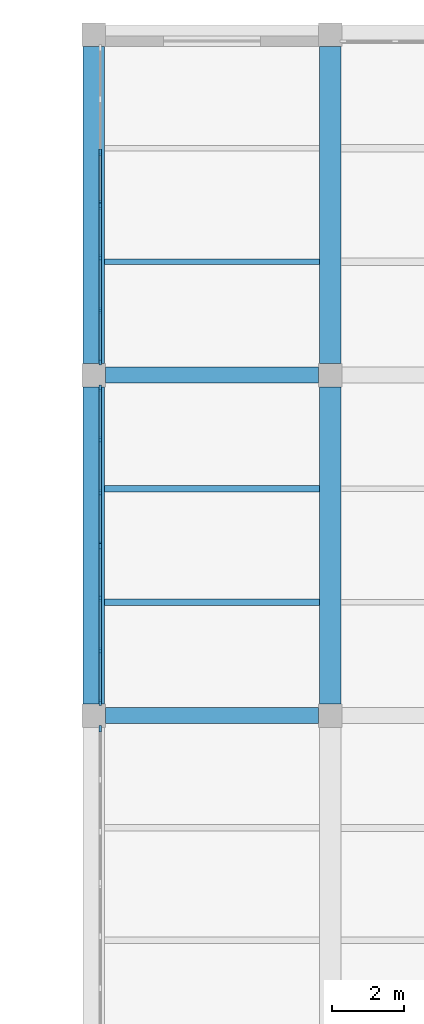
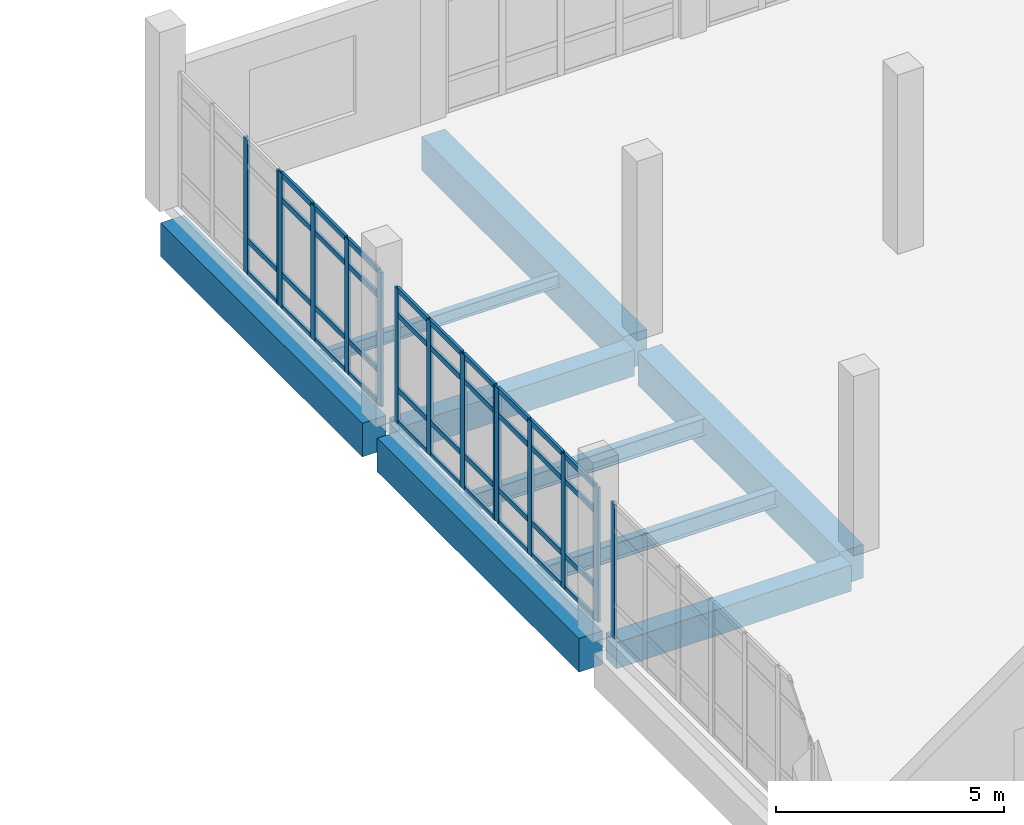
# One storey, part 38 of 90: 53 members, 9 beams, 5 elements without a shape of their own.
"""IFC4 building model written with IfcOpenShell, lengths in metres."""

from ifc_helpers import new_model, si_unit, direction, frame, origin, origin_2d, place, context, subcontext, project, spatial, rectangle, i_section, extrude, material, layer, layer_set, material_profile, profile_set, type_object, element, aggregate, save


model = new_model("IFC4")

# Units and contexts
model_context = context("Model", 3, precision=1e-05, world=origin(), true_north=direction((0.0, 1.0)))
body_context = subcontext(model_context, "Body", "Model", "MODEL_VIEW")
ifc_project = project(units=[si_unit("LENGTHUNIT", "METRE"), si_unit("AREAUNIT", "SQUARE_METRE"), si_unit("VOLUMEUNIT", "CUBIC_METRE"), si_unit("PLANEANGLEUNIT", "RADIAN"), si_unit("MASSUNIT", "GRAM", prefix="KILO")], contexts=[model_context])

# Site, building, storey
site_placement = place(None, origin())
site = spatial("IfcSite", under=ifc_project, at=site_placement, CompositionType="ELEMENT")
building_placement = place(site_placement, origin())
building = spatial("IfcBuilding", under=site, at=building_placement, Name="Kelarvand Opera House", CompositionType="ELEMENT")
storey_placement = place(building_placement, frame((0.0, 0.0, 5.39990234375)))
storey = spatial("IfcBuildingStorey", under=building, at=storey_placement, Name="L01", CompositionType="ELEMENT", Elevation=5.39990234375)

# Curtain wall, member
ifc_material_1 = material(Name="Thermally broken aluminium and low-E glazing", Category="aluminium")
ifc_layer_1 = layer(ifc_material_1, 0.179931640625, Name="Thermally broken aluminium and low-E glazing", Category="aluminium")
ifc_layer_set_1 = layer_set([ifc_layer_1], Name="Thermally broken aluminium and low-E glazing")
curtain_wall_type_1 = type_object("IfcCurtainWallType", Name="Unitised Low-E Curtain Wall 4361x3600 Mod 1450 CWF-42", PredefinedType="USERDEFINED", material=ifc_layer_set_1)
curtain_wall_1_placement = place(storey_placement, origin())
curtain_wall_1 = element("IfcCurtainWall", 1, at=curtain_wall_1_placement, inside=storey, type_object=curtain_wall_type_1, Name="V5 L01 Curtain Wall CWF-42 (185)", ObjectType="UNITISED CURTAIN WALL", PredefinedType="USERDEFINED")
ifc_material_2 = material(Name="Thermally broken anodised aluminium", Category="aluminium")
ifc_material_profile_1 = material_profile(ifc_material_2, rectangle(XDim=0.06494140625, YDim=0.179931640625, at=origin_2d()), Name="ALU MULLION 65x180", Category="aluminium")
ifc_profile_set_1 = profile_set([ifc_material_profile_1], Name="Thermally broken anodised aluminium")
member_type_1 = type_object("IfcMemberType", Name="Curtain Wall Mullion 65x180 Aluminium", PredefinedType="MULLION", material=ifc_profile_set_1)
member_1_placement = place(storey_placement, frame((95.780029296875, 105.632568359375, 0.0), z_axis=(0.0, 0.0, 1.0), x_axis=(-1.0, 0.0, 0.0)))
member_1 = element("IfcMember", 2, at=member_1_placement, type_object=member_type_1, Name="CWF-42 mullion 4", PredefinedType="MULLION", context=body_context, shape_type="SweptSolid", body=[
    extrude(rectangle(XDim=0.06494140625, YDim=0.179931640625, at=origin_2d()), origin(), (0.0, 0.0, 1.0), 3.60009765625),
])
aggregate(curtain_wall_1, [member_1])

# Curtain wall, members
ifc_layer_2 = layer(ifc_material_1, 0.179931640625, Name="Thermally broken aluminium and low-E glazing", Category="aluminium")
ifc_layer_set_2 = layer_set([ifc_layer_2], Name="Thermally broken aluminium and low-E glazing")
curtain_wall_type_2 = type_object("IfcCurtainWallType", Name="Unitised Low-E Curtain Wall 4411x3600 Mod 1450 CWF-41", PredefinedType="USERDEFINED", material=ifc_layer_set_2)
curtain_wall_2_placement = place(storey_placement, origin())
curtain_wall_2 = element("IfcCurtainWall", 3, at=curtain_wall_2_placement, inside=storey, type_object=curtain_wall_type_2, Name="V5 L01 Curtain Wall CWF-41 (186)", ObjectType="UNITISED CURTAIN WALL", PredefinedType="USERDEFINED")
member_2_placement = place(storey_placement, frame((95.780029296875, 106.367431640625, 0.0), z_axis=(0.0, 0.0, 1.0), x_axis=(-1.0, 0.0, 0.0)))
member_2 = element("IfcMember", 4, at=member_2_placement, type_object=member_type_1, Name="CWF-41 mullion 1", PredefinedType="MULLION", context=body_context, shape_type="SweptSolid", body=[
    extrude(rectangle(XDim=0.06494140625, YDim=0.179931640625, at=origin_2d()), origin(), (0.0, 0.0, 1.0), 3.60009765625),
])
member_3_placement = place(storey_placement, frame((95.780029296875, 107.805419921875, 0.0), z_axis=(0.0, 0.0, 1.0), x_axis=(-1.0, 0.0, 0.0)))
member_3 = element("IfcMember", 5, at=member_3_placement, type_object=member_type_1, Name="CWF-41 mullion 2", PredefinedType="MULLION", context=body_context, shape_type="SweptSolid", body=[
    extrude(rectangle(XDim=0.06494140625, YDim=0.179931640625, at=origin_2d()), origin(), (0.0, 0.0, 1.0), 3.60009765625),
])
member_4_placement = place(storey_placement, frame((95.780029296875, 109.275634765625, 0.0), z_axis=(0.0, 0.0, 1.0), x_axis=(-1.0, 0.0, 0.0)))
member_4 = element("IfcMember", 6, at=member_4_placement, type_object=member_type_1, Name="CWF-41 mullion 3", PredefinedType="MULLION", context=body_context, shape_type="SweptSolid", body=[
    extrude(rectangle(XDim=0.06494140625, YDim=0.179931640625, at=origin_2d()), origin(), (0.0, 0.0, 1.0), 3.60009765625),
])
member_5_placement = place(storey_placement, frame((95.780029296875, 110.71337890625, 0.0), z_axis=(0.0, 0.0, 1.0), x_axis=(-1.0, 0.0, 0.0)))
member_5 = element("IfcMember", 7, at=member_5_placement, type_object=member_type_1, Name="CWF-41 mullion 4", PredefinedType="MULLION", context=body_context, shape_type="SweptSolid", body=[
    extrude(rectangle(XDim=0.06494140625, YDim=0.179931640625, at=origin_2d()), origin(), (0.0, 0.0, 1.0), 3.60009765625),
])

curtain_wall_3_placement = place(storey_placement, origin())
curtain_wall_3 = element("IfcCurtainWall", 8, at=curtain_wall_3_placement, inside=storey, type_object=curtain_wall_type_2, Name="V5 L01 Curtain Wall CWF-41 (187)", ObjectType="UNITISED CURTAIN WALL", PredefinedType="USERDEFINED")
member_6_placement = place(storey_placement, frame((95.780029296875, 110.782470703125, 0.0), z_axis=(0.0, 0.0, 1.0), x_axis=(-1.0, 0.0, 0.0)))
member_6 = element("IfcMember", 9, at=member_6_placement, type_object=member_type_1, Name="CWF-41 mullion 1", PredefinedType="MULLION", context=body_context, shape_type="SweptSolid", body=[
    extrude(rectangle(XDim=0.06494140625, YDim=0.179931640625, at=origin_2d()), origin(), (0.0, 0.0, 1.0), 3.60009765625),
])
member_7_placement = place(storey_placement, frame((95.780029296875, 112.2216796875, 0.0), z_axis=(0.0, 0.0, 1.0), x_axis=(-1.0, 0.0, 0.0)))
member_7 = element("IfcMember", 10, at=member_7_placement, type_object=member_type_1, Name="CWF-41 mullion 2", PredefinedType="MULLION", context=body_context, shape_type="SweptSolid", body=[
    extrude(rectangle(XDim=0.06494140625, YDim=0.179931640625, at=origin_2d()), origin(), (0.0, 0.0, 1.0), 3.60009765625),
])
member_8_placement = place(storey_placement, frame((95.780029296875, 113.693359375, 0.0), z_axis=(0.0, 0.0, 1.0), x_axis=(-1.0, 0.0, 0.0)))
member_8 = element("IfcMember", 11, at=member_8_placement, type_object=member_type_1, Name="CWF-41 mullion 3", PredefinedType="MULLION", context=body_context, shape_type="SweptSolid", body=[
    extrude(rectangle(XDim=0.06494140625, YDim=0.179931640625, at=origin_2d()), origin(), (0.0, 0.0, 1.0), 3.60009765625),
])
member_9_placement = place(storey_placement, frame((95.780029296875, 115.132568359375, 0.0), z_axis=(0.0, 0.0, 1.0), x_axis=(-1.0, 0.0, 0.0)))
member_9 = element("IfcMember", 12, at=member_9_placement, type_object=member_type_1, Name="CWF-41 mullion 4", PredefinedType="MULLION", context=body_context, shape_type="SweptSolid", body=[
    extrude(rectangle(XDim=0.06494140625, YDim=0.179931640625, at=origin_2d()), origin(), (0.0, 0.0, 1.0), 3.60009765625),
])

curtain_wall_4_placement = place(storey_placement, origin())
curtain_wall_4 = element("IfcCurtainWall", 13, at=curtain_wall_4_placement, inside=storey, type_object=curtain_wall_type_2, Name="V5 L01 Curtain Wall CWF-41 (188)", ObjectType="UNITISED CURTAIN WALL", PredefinedType="USERDEFINED")
member_10_placement = place(storey_placement, frame((95.780029296875, 115.867431640625, 0.0), z_axis=(0.0, 0.0, 1.0), x_axis=(-1.0, 0.0, 0.0)))
member_10 = element("IfcMember", 14, at=member_10_placement, type_object=member_type_1, Name="CWF-41 mullion 1", PredefinedType="MULLION", context=body_context, shape_type="SweptSolid", body=[
    extrude(rectangle(XDim=0.06494140625, YDim=0.179931640625, at=origin_2d()), origin(), (0.0, 0.0, 1.0), 3.60009765625),
])
member_11_placement = place(storey_placement, frame((95.780029296875, 117.305419921875, 0.0), z_axis=(0.0, 0.0, 1.0), x_axis=(-1.0, 0.0, 0.0)))
member_11 = element("IfcMember", 15, at=member_11_placement, type_object=member_type_1, Name="CWF-41 mullion 2", PredefinedType="MULLION", context=body_context, shape_type="SweptSolid", body=[
    extrude(rectangle(XDim=0.06494140625, YDim=0.179931640625, at=origin_2d()), origin(), (0.0, 0.0, 1.0), 3.60009765625),
])
member_12_placement = place(storey_placement, frame((95.780029296875, 118.775634765625, 0.0), z_axis=(0.0, 0.0, 1.0), x_axis=(-1.0, 0.0, 0.0)))
member_12 = element("IfcMember", 16, at=member_12_placement, type_object=member_type_1, Name="CWF-41 mullion 3", PredefinedType="MULLION", context=body_context, shape_type="SweptSolid", body=[
    extrude(rectangle(XDim=0.06494140625, YDim=0.179931640625, at=origin_2d()), origin(), (0.0, 0.0, 1.0), 3.60009765625),
])
member_13_placement = place(storey_placement, frame((95.780029296875, 120.21337890625, 0.0), z_axis=(0.0, 0.0, 1.0), x_axis=(-1.0, 0.0, 0.0)))
member_13 = element("IfcMember", 17, at=member_13_placement, type_object=member_type_1, Name="CWF-41 mullion 4", PredefinedType="MULLION", context=body_context, shape_type="SweptSolid", body=[
    extrude(rectangle(XDim=0.06494140625, YDim=0.179931640625, at=origin_2d()), origin(), (0.0, 0.0, 1.0), 3.60009765625),
])

curtain_wall_5_placement = place(storey_placement, origin())
curtain_wall_5 = element("IfcCurtainWall", 18, at=curtain_wall_5_placement, inside=storey, type_object=curtain_wall_type_2, Name="V5 L01 Curtain Wall CWF-41 (189)", ObjectType="UNITISED CURTAIN WALL", PredefinedType="USERDEFINED")
member_14_placement = place(storey_placement, frame((95.780029296875, 120.282470703125, 0.0), z_axis=(0.0, 0.0, 1.0), x_axis=(-1.0, 0.0, 0.0)))
member_14 = element("IfcMember", 19, at=member_14_placement, type_object=member_type_1, Name="CWF-41 mullion 1", PredefinedType="MULLION", context=body_context, shape_type="SweptSolid", body=[
    extrude(rectangle(XDim=0.06494140625, YDim=0.179931640625, at=origin_2d()), origin(), (0.0, 0.0, 1.0), 3.60009765625),
])
member_15_placement = place(storey_placement, frame((95.780029296875, 121.7216796875, 0.0), z_axis=(0.0, 0.0, 1.0), x_axis=(-1.0, 0.0, 0.0)))
member_15 = element("IfcMember", 20, at=member_15_placement, type_object=member_type_1, Name="CWF-41 mullion 2", PredefinedType="MULLION", context=body_context, shape_type="SweptSolid", body=[
    extrude(rectangle(XDim=0.06494140625, YDim=0.179931640625, at=origin_2d()), origin(), (0.0, 0.0, 1.0), 3.60009765625),
])

# Member
ifc_material_profile_2 = material_profile(ifc_material_2, rectangle(XDim=0.06494140625, YDim=0.139892578125, at=origin_2d()), Name="ALU TRANSOM 65x140", Category="aluminium")
ifc_profile_set_2 = profile_set([ifc_material_profile_2], Name="Thermally broken anodised aluminium")
member_type_2 = type_object("IfcMemberType", Name="Curtain Wall Transom 65x140 Aluminium", PredefinedType="USERDEFINED", material=ifc_profile_set_2)
member_16_placement = place(storey_placement, frame((95.780029296875, 106.39990234375, 0.03271484375), z_axis=(0.0, 1.0, 0.0), x_axis=(-1.0, 0.0, 0.0)))
member_16 = element("IfcMember", 21, at=member_16_placement, type_object=member_type_2, Name="CWF-41 transom 1.1", ObjectType="TRANSOM", PredefinedType="USERDEFINED", context=body_context, shape_type="SweptSolid", body=[
    extrude(rectangle(XDim=0.06494140625, YDim=0.139892578125, at=origin_2d()), origin(), (0.0, 0.0, 1.0), 1.373046875),
])

member_17_placement = place(storey_placement, frame((95.780029296875, 106.39990234375, 0.900146484375), z_axis=(0.0, 1.0, 0.0), x_axis=(-1.0, 0.0, 0.0)))
member_17 = element("IfcMember", 22, at=member_17_placement, type_object=member_type_2, Name="CWF-41 transom 1.2", ObjectType="TRANSOM", PredefinedType="USERDEFINED", context=body_context, shape_type="SweptSolid", body=[
    extrude(rectangle(XDim=0.06494140625, YDim=0.139892578125, at=origin_2d()), origin(), (0.0, 0.0, 1.0), 1.373046875),
])

member_18_placement = place(storey_placement, frame((95.780029296875, 106.39990234375, 2.900146484375), z_axis=(0.0, 1.0, 0.0), x_axis=(-1.0, 0.0, 0.0)))
member_18 = element("IfcMember", 23, at=member_18_placement, type_object=member_type_2, Name="CWF-41 transom 1.3", ObjectType="TRANSOM", PredefinedType="USERDEFINED", context=body_context, shape_type="SweptSolid", body=[
    extrude(rectangle(XDim=0.06494140625, YDim=0.139892578125, at=origin_2d()), origin(), (0.0, 0.0, 1.0), 1.373046875),
])

member_19_placement = place(storey_placement, frame((95.780029296875, 106.39990234375, 3.567626953125), z_axis=(0.0, 1.0, 0.0), x_axis=(-1.0, 0.0, 0.0)))
member_19 = element("IfcMember", 24, at=member_19_placement, type_object=member_type_2, Name="CWF-41 transom 1.4", ObjectType="TRANSOM", PredefinedType="USERDEFINED", context=body_context, shape_type="SweptSolid", body=[
    extrude(rectangle(XDim=0.06494140625, YDim=0.139892578125, at=origin_2d()), origin(), (0.0, 0.0, 1.0), 1.373046875),
])

member_20_placement = place(storey_placement, frame((95.780029296875, 107.837890625, 0.03271484375), z_axis=(0.0, 1.0, 0.0), x_axis=(-1.0, 0.0, 0.0)))
member_20 = element("IfcMember", 25, at=member_20_placement, type_object=member_type_2, Name="CWF-41 transom 2.1", ObjectType="TRANSOM", PredefinedType="USERDEFINED", context=body_context, shape_type="SweptSolid", body=[
    extrude(rectangle(XDim=0.06494140625, YDim=0.139892578125, at=origin_2d()), origin(), (0.0, 0.0, 1.0), 1.4052734375),
])

member_21_placement = place(storey_placement, frame((95.780029296875, 107.837890625, 0.900146484375), z_axis=(0.0, 1.0, 0.0), x_axis=(-1.0, 0.0, 0.0)))
member_21 = element("IfcMember", 26, at=member_21_placement, type_object=member_type_2, Name="CWF-41 transom 2.2", ObjectType="TRANSOM", PredefinedType="USERDEFINED", context=body_context, shape_type="SweptSolid", body=[
    extrude(rectangle(XDim=0.06494140625, YDim=0.139892578125, at=origin_2d()), origin(), (0.0, 0.0, 1.0), 1.4052734375),
])

member_22_placement = place(storey_placement, frame((95.780029296875, 107.837890625, 2.900146484375), z_axis=(0.0, 1.0, 0.0), x_axis=(-1.0, 0.0, 0.0)))
member_22 = element("IfcMember", 27, at=member_22_placement, type_object=member_type_2, Name="CWF-41 transom 2.3", ObjectType="TRANSOM", PredefinedType="USERDEFINED", context=body_context, shape_type="SweptSolid", body=[
    extrude(rectangle(XDim=0.06494140625, YDim=0.139892578125, at=origin_2d()), origin(), (0.0, 0.0, 1.0), 1.4052734375),
])

member_23_placement = place(storey_placement, frame((95.780029296875, 107.837890625, 3.567626953125), z_axis=(0.0, 1.0, 0.0), x_axis=(-1.0, 0.0, 0.0)))
member_23 = element("IfcMember", 28, at=member_23_placement, type_object=member_type_2, Name="CWF-41 transom 2.4", ObjectType="TRANSOM", PredefinedType="USERDEFINED", context=body_context, shape_type="SweptSolid", body=[
    extrude(rectangle(XDim=0.06494140625, YDim=0.139892578125, at=origin_2d()), origin(), (0.0, 0.0, 1.0), 1.4052734375),
])

member_24_placement = place(storey_placement, frame((95.780029296875, 109.30810546875, 0.03271484375), z_axis=(0.0, 1.0, 0.0), x_axis=(-1.0, 0.0, 0.0)))
member_24 = element("IfcMember", 29, at=member_24_placement, type_object=member_type_2, Name="CWF-41 transom 3.1", ObjectType="TRANSOM", PredefinedType="USERDEFINED", context=body_context, shape_type="SweptSolid", body=[
    extrude(rectangle(XDim=0.06494140625, YDim=0.139892578125, at=origin_2d()), origin(), (0.0, 0.0, 1.0), 1.372802734375),
])

member_25_placement = place(storey_placement, frame((95.780029296875, 109.30810546875, 0.900146484375), z_axis=(0.0, 1.0, 0.0), x_axis=(-1.0, 0.0, 0.0)))
member_25 = element("IfcMember", 30, at=member_25_placement, type_object=member_type_2, Name="CWF-41 transom 3.2", ObjectType="TRANSOM", PredefinedType="USERDEFINED", context=body_context, shape_type="SweptSolid", body=[
    extrude(rectangle(XDim=0.06494140625, YDim=0.139892578125, at=origin_2d()), origin(), (0.0, 0.0, 1.0), 1.372802734375),
])

member_26_placement = place(storey_placement, frame((95.780029296875, 109.30810546875, 2.900146484375), z_axis=(0.0, 1.0, 0.0), x_axis=(-1.0, 0.0, 0.0)))
member_26 = element("IfcMember", 31, at=member_26_placement, type_object=member_type_2, Name="CWF-41 transom 3.3", ObjectType="TRANSOM", PredefinedType="USERDEFINED", context=body_context, shape_type="SweptSolid", body=[
    extrude(rectangle(XDim=0.06494140625, YDim=0.139892578125, at=origin_2d()), origin(), (0.0, 0.0, 1.0), 1.372802734375),
])

member_27_placement = place(storey_placement, frame((95.780029296875, 109.30810546875, 3.567626953125), z_axis=(0.0, 1.0, 0.0), x_axis=(-1.0, 0.0, 0.0)))
member_27 = element("IfcMember", 32, at=member_27_placement, type_object=member_type_2, Name="CWF-41 transom 3.4", ObjectType="TRANSOM", PredefinedType="USERDEFINED", context=body_context, shape_type="SweptSolid", body=[
    extrude(rectangle(XDim=0.06494140625, YDim=0.139892578125, at=origin_2d()), origin(), (0.0, 0.0, 1.0), 1.372802734375),
])

aggregate(curtain_wall_2, [member_2, member_3, member_4, member_5, member_16, member_17, member_18, member_19, member_20, member_21, member_22, member_23, member_24, member_25, member_26, member_27])

member_28_placement = place(storey_placement, frame((95.780029296875, 110.81494140625, 0.03271484375), z_axis=(0.0, 1.0, 0.0), x_axis=(-1.0, 0.0, 0.0)))
member_28 = element("IfcMember", 33, at=member_28_placement, type_object=member_type_2, Name="CWF-41 transom 1.1", ObjectType="TRANSOM", PredefinedType="USERDEFINED", context=body_context, shape_type="SweptSolid", body=[
    extrude(rectangle(XDim=0.06494140625, YDim=0.139892578125, at=origin_2d()), origin(), (0.0, 0.0, 1.0), 1.374267578125),
])

member_29_placement = place(storey_placement, frame((95.780029296875, 110.81494140625, 0.900146484375), z_axis=(0.0, 1.0, 0.0), x_axis=(-1.0, 0.0, 0.0)))
member_29 = element("IfcMember", 34, at=member_29_placement, type_object=member_type_2, Name="CWF-41 transom 1.2", ObjectType="TRANSOM", PredefinedType="USERDEFINED", context=body_context, shape_type="SweptSolid", body=[
    extrude(rectangle(XDim=0.06494140625, YDim=0.139892578125, at=origin_2d()), origin(), (0.0, 0.0, 1.0), 1.374267578125),
])

member_30_placement = place(storey_placement, frame((95.780029296875, 110.81494140625, 2.900146484375), z_axis=(0.0, 1.0, 0.0), x_axis=(-1.0, 0.0, 0.0)))
member_30 = element("IfcMember", 35, at=member_30_placement, type_object=member_type_2, Name="CWF-41 transom 1.3", ObjectType="TRANSOM", PredefinedType="USERDEFINED", context=body_context, shape_type="SweptSolid", body=[
    extrude(rectangle(XDim=0.06494140625, YDim=0.139892578125, at=origin_2d()), origin(), (0.0, 0.0, 1.0), 1.374267578125),
])

member_31_placement = place(storey_placement, frame((95.780029296875, 110.81494140625, 3.567626953125), z_axis=(0.0, 1.0, 0.0), x_axis=(-1.0, 0.0, 0.0)))
member_31 = element("IfcMember", 36, at=member_31_placement, type_object=member_type_2, Name="CWF-41 transom 1.4", ObjectType="TRANSOM", PredefinedType="USERDEFINED", context=body_context, shape_type="SweptSolid", body=[
    extrude(rectangle(XDim=0.06494140625, YDim=0.139892578125, at=origin_2d()), origin(), (0.0, 0.0, 1.0), 1.374267578125),
])

member_32_placement = place(storey_placement, frame((95.780029296875, 112.254150390625, 0.03271484375), z_axis=(0.0, 1.0, 0.0), x_axis=(-1.0, 0.0, 0.0)))
member_32 = element("IfcMember", 37, at=member_32_placement, type_object=member_type_2, Name="CWF-41 transom 2.1", ObjectType="TRANSOM", PredefinedType="USERDEFINED", context=body_context, shape_type="SweptSolid", body=[
    extrude(rectangle(XDim=0.06494140625, YDim=0.139892578125, at=origin_2d()), origin(), (0.0, 0.0, 1.0), 1.40673828125),
])

member_33_placement = place(storey_placement, frame((95.780029296875, 112.254150390625, 0.900146484375), z_axis=(0.0, 1.0, 0.0), x_axis=(-1.0, 0.0, 0.0)))
member_33 = element("IfcMember", 38, at=member_33_placement, type_object=member_type_2, Name="CWF-41 transom 2.2", ObjectType="TRANSOM", PredefinedType="USERDEFINED", context=body_context, shape_type="SweptSolid", body=[
    extrude(rectangle(XDim=0.06494140625, YDim=0.139892578125, at=origin_2d()), origin(), (0.0, 0.0, 1.0), 1.40673828125),
])

member_34_placement = place(storey_placement, frame((95.780029296875, 112.254150390625, 2.900146484375), z_axis=(0.0, 1.0, 0.0), x_axis=(-1.0, 0.0, 0.0)))
member_34 = element("IfcMember", 39, at=member_34_placement, type_object=member_type_2, Name="CWF-41 transom 2.3", ObjectType="TRANSOM", PredefinedType="USERDEFINED", context=body_context, shape_type="SweptSolid", body=[
    extrude(rectangle(XDim=0.06494140625, YDim=0.139892578125, at=origin_2d()), origin(), (0.0, 0.0, 1.0), 1.40673828125),
])

member_35_placement = place(storey_placement, frame((95.780029296875, 112.254150390625, 3.567626953125), z_axis=(0.0, 1.0, 0.0), x_axis=(-1.0, 0.0, 0.0)))
member_35 = element("IfcMember", 40, at=member_35_placement, type_object=member_type_2, Name="CWF-41 transom 2.4", ObjectType="TRANSOM", PredefinedType="USERDEFINED", context=body_context, shape_type="SweptSolid", body=[
    extrude(rectangle(XDim=0.06494140625, YDim=0.139892578125, at=origin_2d()), origin(), (0.0, 0.0, 1.0), 1.40673828125),
])

member_36_placement = place(storey_placement, frame((95.780029296875, 113.725830078125, 0.03271484375), z_axis=(0.0, 1.0, 0.0), x_axis=(-1.0, 0.0, 0.0)))
member_36 = element("IfcMember", 41, at=member_36_placement, type_object=member_type_2, Name="CWF-41 transom 3.1", ObjectType="TRANSOM", PredefinedType="USERDEFINED", context=body_context, shape_type="SweptSolid", body=[
    extrude(rectangle(XDim=0.06494140625, YDim=0.139892578125, at=origin_2d()), origin(), (0.0, 0.0, 1.0), 1.374267578125),
])

member_37_placement = place(storey_placement, frame((95.780029296875, 113.725830078125, 0.900146484375), z_axis=(0.0, 1.0, 0.0), x_axis=(-1.0, 0.0, 0.0)))
member_37 = element("IfcMember", 42, at=member_37_placement, type_object=member_type_2, Name="CWF-41 transom 3.2", ObjectType="TRANSOM", PredefinedType="USERDEFINED", context=body_context, shape_type="SweptSolid", body=[
    extrude(rectangle(XDim=0.06494140625, YDim=0.139892578125, at=origin_2d()), origin(), (0.0, 0.0, 1.0), 1.374267578125),
])

member_38_placement = place(storey_placement, frame((95.780029296875, 113.725830078125, 2.900146484375), z_axis=(0.0, 1.0, 0.0), x_axis=(-1.0, 0.0, 0.0)))
member_38 = element("IfcMember", 43, at=member_38_placement, type_object=member_type_2, Name="CWF-41 transom 3.3", ObjectType="TRANSOM", PredefinedType="USERDEFINED", context=body_context, shape_type="SweptSolid", body=[
    extrude(rectangle(XDim=0.06494140625, YDim=0.139892578125, at=origin_2d()), origin(), (0.0, 0.0, 1.0), 1.374267578125),
])

member_39_placement = place(storey_placement, frame((95.780029296875, 113.725830078125, 3.567626953125), z_axis=(0.0, 1.0, 0.0), x_axis=(-1.0, 0.0, 0.0)))
member_39 = element("IfcMember", 44, at=member_39_placement, type_object=member_type_2, Name="CWF-41 transom 3.4", ObjectType="TRANSOM", PredefinedType="USERDEFINED", context=body_context, shape_type="SweptSolid", body=[
    extrude(rectangle(XDim=0.06494140625, YDim=0.139892578125, at=origin_2d()), origin(), (0.0, 0.0, 1.0), 1.374267578125),
])

aggregate(curtain_wall_3, [member_6, member_7, member_8, member_9, member_28, member_29, member_30, member_31, member_32, member_33, member_34, member_35, member_36, member_37, member_38, member_39])

member_40_placement = place(storey_placement, frame((95.780029296875, 115.89990234375, 0.03271484375), z_axis=(0.0, 1.0, 0.0), x_axis=(-1.0, 0.0, 0.0)))
member_40 = element("IfcMember", 45, at=member_40_placement, type_object=member_type_2, Name="CWF-41 transom 1.1", ObjectType="TRANSOM", PredefinedType="USERDEFINED", context=body_context, shape_type="SweptSolid", body=[
    extrude(rectangle(XDim=0.06494140625, YDim=0.139892578125, at=origin_2d()), origin(), (0.0, 0.0, 1.0), 1.373046875),
])

member_41_placement = place(storey_placement, frame((95.780029296875, 115.89990234375, 0.900146484375), z_axis=(0.0, 1.0, 0.0), x_axis=(-1.0, 0.0, 0.0)))
member_41 = element("IfcMember", 46, at=member_41_placement, type_object=member_type_2, Name="CWF-41 transom 1.2", ObjectType="TRANSOM", PredefinedType="USERDEFINED", context=body_context, shape_type="SweptSolid", body=[
    extrude(rectangle(XDim=0.06494140625, YDim=0.139892578125, at=origin_2d()), origin(), (0.0, 0.0, 1.0), 1.373046875),
])

member_42_placement = place(storey_placement, frame((95.780029296875, 115.89990234375, 2.900146484375), z_axis=(0.0, 1.0, 0.0), x_axis=(-1.0, 0.0, 0.0)))
member_42 = element("IfcMember", 47, at=member_42_placement, type_object=member_type_2, Name="CWF-41 transom 1.3", ObjectType="TRANSOM", PredefinedType="USERDEFINED", context=body_context, shape_type="SweptSolid", body=[
    extrude(rectangle(XDim=0.06494140625, YDim=0.139892578125, at=origin_2d()), origin(), (0.0, 0.0, 1.0), 1.373046875),
])

member_43_placement = place(storey_placement, frame((95.780029296875, 115.89990234375, 3.567626953125), z_axis=(0.0, 1.0, 0.0), x_axis=(-1.0, 0.0, 0.0)))
member_43 = element("IfcMember", 48, at=member_43_placement, type_object=member_type_2, Name="CWF-41 transom 1.4", ObjectType="TRANSOM", PredefinedType="USERDEFINED", context=body_context, shape_type="SweptSolid", body=[
    extrude(rectangle(XDim=0.06494140625, YDim=0.139892578125, at=origin_2d()), origin(), (0.0, 0.0, 1.0), 1.373046875),
])

member_44_placement = place(storey_placement, frame((95.780029296875, 117.337890625, 0.03271484375), z_axis=(0.0, 1.0, 0.0), x_axis=(-1.0, 0.0, 0.0)))
member_44 = element("IfcMember", 49, at=member_44_placement, type_object=member_type_2, Name="CWF-41 transom 2.1", ObjectType="TRANSOM", PredefinedType="USERDEFINED", context=body_context, shape_type="SweptSolid", body=[
    extrude(rectangle(XDim=0.06494140625, YDim=0.139892578125, at=origin_2d()), origin(), (0.0, 0.0, 1.0), 1.4052734375),
])

member_45_placement = place(storey_placement, frame((95.780029296875, 117.337890625, 0.900146484375), z_axis=(0.0, 1.0, 0.0), x_axis=(-1.0, 0.0, 0.0)))
member_45 = element("IfcMember", 50, at=member_45_placement, type_object=member_type_2, Name="CWF-41 transom 2.2", ObjectType="TRANSOM", PredefinedType="USERDEFINED", context=body_context, shape_type="SweptSolid", body=[
    extrude(rectangle(XDim=0.06494140625, YDim=0.139892578125, at=origin_2d()), origin(), (0.0, 0.0, 1.0), 1.4052734375),
])

member_46_placement = place(storey_placement, frame((95.780029296875, 117.337890625, 2.900146484375), z_axis=(0.0, 1.0, 0.0), x_axis=(-1.0, 0.0, 0.0)))
member_46 = element("IfcMember", 51, at=member_46_placement, type_object=member_type_2, Name="CWF-41 transom 2.3", ObjectType="TRANSOM", PredefinedType="USERDEFINED", context=body_context, shape_type="SweptSolid", body=[
    extrude(rectangle(XDim=0.06494140625, YDim=0.139892578125, at=origin_2d()), origin(), (0.0, 0.0, 1.0), 1.4052734375),
])

member_47_placement = place(storey_placement, frame((95.780029296875, 117.337890625, 3.567626953125), z_axis=(0.0, 1.0, 0.0), x_axis=(-1.0, 0.0, 0.0)))
member_47 = element("IfcMember", 52, at=member_47_placement, type_object=member_type_2, Name="CWF-41 transom 2.4", ObjectType="TRANSOM", PredefinedType="USERDEFINED", context=body_context, shape_type="SweptSolid", body=[
    extrude(rectangle(XDim=0.06494140625, YDim=0.139892578125, at=origin_2d()), origin(), (0.0, 0.0, 1.0), 1.4052734375),
])

member_48_placement = place(storey_placement, frame((95.780029296875, 118.80810546875, 0.03271484375), z_axis=(0.0, 1.0, 0.0), x_axis=(-1.0, 0.0, 0.0)))
member_48 = element("IfcMember", 53, at=member_48_placement, type_object=member_type_2, Name="CWF-41 transom 3.1", ObjectType="TRANSOM", PredefinedType="USERDEFINED", context=body_context, shape_type="SweptSolid", body=[
    extrude(rectangle(XDim=0.06494140625, YDim=0.139892578125, at=origin_2d()), origin(), (0.0, 0.0, 1.0), 1.372802734375),
])

member_49_placement = place(storey_placement, frame((95.780029296875, 118.80810546875, 0.900146484375), z_axis=(0.0, 1.0, 0.0), x_axis=(-1.0, 0.0, 0.0)))
member_49 = element("IfcMember", 54, at=member_49_placement, type_object=member_type_2, Name="CWF-41 transom 3.2", ObjectType="TRANSOM", PredefinedType="USERDEFINED", context=body_context, shape_type="SweptSolid", body=[
    extrude(rectangle(XDim=0.06494140625, YDim=0.139892578125, at=origin_2d()), origin(), (0.0, 0.0, 1.0), 1.372802734375),
])

member_50_placement = place(storey_placement, frame((95.780029296875, 118.80810546875, 2.900146484375), z_axis=(0.0, 1.0, 0.0), x_axis=(-1.0, 0.0, 0.0)))
member_50 = element("IfcMember", 55, at=member_50_placement, type_object=member_type_2, Name="CWF-41 transom 3.3", ObjectType="TRANSOM", PredefinedType="USERDEFINED", context=body_context, shape_type="SweptSolid", body=[
    extrude(rectangle(XDim=0.06494140625, YDim=0.139892578125, at=origin_2d()), origin(), (0.0, 0.0, 1.0), 1.372802734375),
])

member_51_placement = place(storey_placement, frame((95.780029296875, 118.80810546875, 3.567626953125), z_axis=(0.0, 1.0, 0.0), x_axis=(-1.0, 0.0, 0.0)))
member_51 = element("IfcMember", 56, at=member_51_placement, type_object=member_type_2, Name="CWF-41 transom 3.4", ObjectType="TRANSOM", PredefinedType="USERDEFINED", context=body_context, shape_type="SweptSolid", body=[
    extrude(rectangle(XDim=0.06494140625, YDim=0.139892578125, at=origin_2d()), origin(), (0.0, 0.0, 1.0), 1.372802734375),
])

aggregate(curtain_wall_4, [member_10, member_11, member_12, member_13, member_40, member_41, member_42, member_43, member_44, member_45, member_46, member_47, member_48, member_49, member_50, member_51])

member_52_placement = place(storey_placement, frame((95.780029296875, 120.31494140625, 0.03271484375), z_axis=(0.0, 1.0, 0.0), x_axis=(-1.0, 0.0, 0.0)))
member_52 = element("IfcMember", 57, at=member_52_placement, type_object=member_type_2, Name="CWF-41 transom 1.1", ObjectType="TRANSOM", PredefinedType="USERDEFINED", context=body_context, shape_type="SweptSolid", body=[
    extrude(rectangle(XDim=0.06494140625, YDim=0.139892578125, at=origin_2d()), origin(), (0.0, 0.0, 1.0), 1.374267578125),
])

member_53_placement = place(storey_placement, frame((95.780029296875, 120.31494140625, 0.900146484375), z_axis=(0.0, 1.0, 0.0), x_axis=(-1.0, 0.0, 0.0)))
member_53 = element("IfcMember", 58, at=member_53_placement, type_object=member_type_2, Name="CWF-41 transom 1.2", ObjectType="TRANSOM", PredefinedType="USERDEFINED", context=body_context, shape_type="SweptSolid", body=[
    extrude(rectangle(XDim=0.06494140625, YDim=0.139892578125, at=origin_2d()), origin(), (0.0, 0.0, 1.0), 1.374267578125),
])

aggregate(curtain_wall_5, [member_14, member_15, member_52, member_53])

# Beams
ifc_material_3 = material(Name="Concrete C40/50", Category="concrete")
ifc_material_profile_3 = material_profile(ifc_material_3, rectangle(XDim=0.449951171875, YDim=0.699951171875, at=origin_2d()), Name="RC 450x700", Category="concrete")
ifc_profile_set_3 = profile_set([ifc_material_profile_3], Name="Concrete C40/50")
beam_type_1 = type_object("IfcBeamType", Name="Structural Beam RC 450x700 BM-RC450x700", PredefinedType="BEAM", material=ifc_profile_set_3)
for number, where, z_axis, x_axis, name in (
    (59, (95.925048828125, 106.0, -0.64990234375), (1.0, 0.0, 0.0), (0.0, 1.0, 0.0), "V5 L01 Beam BM-RC450x700"),
    (60, (95.925048828125, 115.5, -0.64990234375), (1.0, 0.0, 0.0), (0.0, 1.0, 0.0), "V5 L01 Beam BM-RC450x700"),
):
    element("IfcBeam", number, at=place(storey_placement, frame(where, z_axis=z_axis, x_axis=x_axis)), inside=storey, type_object=beam_type_1, Name=name, PredefinedType="BEAM", context=body_context, shape_type="SweptSolid", body=[
        extrude(rectangle(XDim=0.449951171875, YDim=0.699951171875, at=origin_2d()), origin(), (0.0, 0.0, 1.0), 5.949951171875),
    ])
ifc_material_profile_4 = material_profile(ifc_material_3, rectangle(XDim=0.60009765625, YDim=0.89990234375, at=origin_2d()), Name="RC 600x900", Category="concrete")
ifc_profile_set_4 = profile_set([ifc_material_profile_4], Name="Concrete C40/50")
beam_type_2 = type_object("IfcBeamType", Name="Structural Beam RC 600x900 BM-RC600x900", PredefinedType="BEAM", material=ifc_profile_set_4)
for number, where, z_axis, x_axis, name in (
    (61, (102.199951171875, 106.324951171875, -0.75), (0.0, 1.0, 0.0), (-1.0, 0.0, 0.0), "V5 L01 Beam BM-RC600x900"),
    (62, (102.199951171875, 115.824951171875, -0.75), (0.0, 1.0, 0.0), (-1.0, 0.0, 0.0), "V5 L01 Beam BM-RC600x900"),
):
    element("IfcBeam", number, at=place(storey_placement, frame(where, z_axis=z_axis, x_axis=x_axis)), inside=storey, type_object=beam_type_2, Name=name, PredefinedType="BEAM", context=body_context, shape_type="SweptSolid", body=[
        extrude(rectangle(XDim=0.60009765625, YDim=0.89990234375, at=origin_2d()), origin(), (0.0, 0.0, 1.0), 8.85009765625),
    ])
ifc_material_4 = material(Name="Steel S355", Category="steel")
ifc_material_profile_5 = material_profile(ifc_material_4, i_section(OverallWidth=0.159912109375, OverallDepth=0.330078125, WebThickness=0.007568359375, FlangeThickness=0.011474609375, at=origin_2d()), Name="IPE 330", Category="steel")
ifc_profile_set_5 = profile_set([ifc_material_profile_5], Name="Steel S355")
beam_type_3 = type_object("IfcBeamType", Name="Structural Joist IPE 330 JS-IPE330", PredefinedType="JOIST", material=ifc_profile_set_5)
beam_placement = place(storey_placement, frame((95.89990234375, 118.666748046875, -0.46484375), z_axis=(1.0, 0.0, 0.0), x_axis=(0.0, 1.0, 0.0)))
element("IfcBeam", 63, at=beam_placement, inside=storey, type_object=beam_type_3, Name="V5 L01 Beam JS-IPE330", PredefinedType="JOIST", context=body_context, shape_type="SweptSolid", body=[
    extrude(i_section(OverallWidth=0.159912109375, OverallDepth=0.330078125, WebThickness=0.007568359375, FlangeThickness=0.011474609375, at=origin_2d()), origin(), (0.0, 0.0, 1.0), 6.0),
])
ifc_material_profile_6 = material_profile(ifc_material_4, i_section(OverallWidth=0.18994140625, OverallDepth=0.449951171875, WebThickness=0.009521484375, FlangeThickness=0.0146484375, at=origin_2d()), Name="IPE 450", Category="steel")
ifc_profile_set_6 = profile_set([ifc_material_profile_6], Name="Steel S355")
beam_type_4 = type_object("IfcBeamType", Name="Structural Joist IPE 450 JS-IPE450", PredefinedType="JOIST", material=ifc_profile_set_6)
for number, where, z_axis, x_axis, name in (
    (64, (95.89990234375, 109.166748046875, -0.52490234375), (1.0, 0.0, 0.0), (0.0, 1.0, 0.0), "V5 L01 Beam JS-IPE450"),
    (65, (95.89990234375, 112.333251953125, -0.52490234375), (1.0, 0.0, 0.0), (0.0, 1.0, 0.0), "V5 L01 Beam JS-IPE450"),
):
    element("IfcBeam", number, at=place(storey_placement, frame(where, z_axis=z_axis, x_axis=x_axis)), inside=storey, type_object=beam_type_4, Name=name, PredefinedType="JOIST", context=body_context, shape_type="SweptSolid", body=[
        extrude(i_section(OverallWidth=0.18994140625, OverallDepth=0.449951171875, WebThickness=0.009521484375, FlangeThickness=0.0146484375, at=origin_2d()), origin(), (0.0, 0.0, 1.0), 6.0),
    ])
ifc_material_profile_7 = material_profile(ifc_material_3, rectangle(XDim=0.60009765625, YDim=0.89990234375, at=origin_2d()), Name="RC 600x900", Category="concrete")
ifc_profile_set_7 = profile_set([ifc_material_profile_7], Name="Concrete C40/50")
beam_type_5 = type_object("IfcBeamType", Name="Structural Spandrel RC 600x900 SP-RC600x900E", PredefinedType="SPANDREL", material=ifc_profile_set_7)
for number, where, z_axis, x_axis, name in (
    (66, (95.60009765625, 106.324951171875, -0.75), (0.0, 1.0, 0.0), (-1.0, 0.0, 0.0), "V5 L01 Beam SP-RC600x900E"),
    (67, (95.60009765625, 115.824951171875, -0.75), (0.0, 1.0, 0.0), (-1.0, 0.0, 0.0), "V5 L01 Beam SP-RC600x900E"),
):
    element("IfcBeam", number, at=place(storey_placement, frame(where, z_axis=z_axis, x_axis=x_axis)), inside=storey, type_object=beam_type_5, Name=name, PredefinedType="SPANDREL", context=body_context, shape_type="SweptSolid", body=[
        extrude(rectangle(XDim=0.60009765625, YDim=0.89990234375, at=origin_2d()), origin(), (0.0, 0.0, 1.0), 8.85009765625),
    ])

save(model, "model.ifc")
